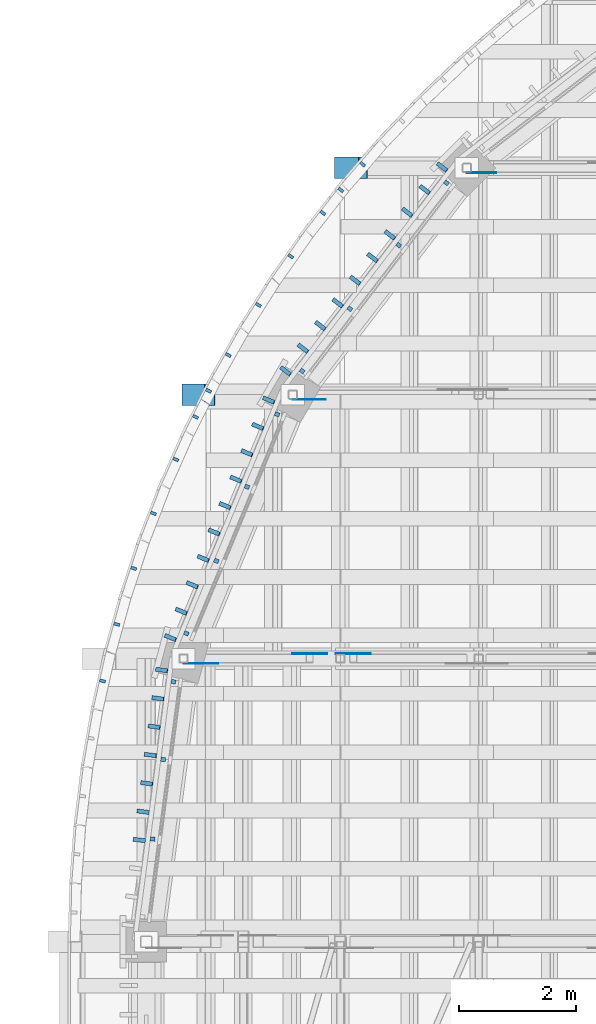
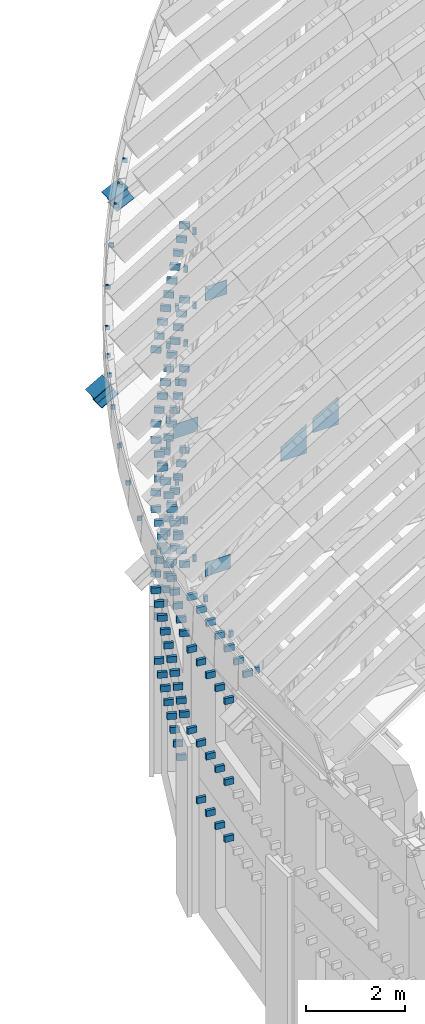
# One storey, part 75 of 105: 142 discrete accessories.
"""IFC4 building model written with IfcOpenShell, lengths in metres."""

from ifc_helpers import new_model, si_unit, direction, frame, origin, origin_2d, place, context, subcontext, project, spatial, polyline, rectangle, i_section, outline, extrude, material, material_profile, profile_set, type_object, element, save


model = new_model("IFC4")

# Units and contexts
model_context = context("Model", 3, precision=1e-05, world=origin(), true_north=direction((0.0, 1.0)))
body_context = subcontext(model_context, "Body", "Model", "MODEL_VIEW")
ifc_project = project(units=[si_unit("LENGTHUNIT", "METRE"), si_unit("AREAUNIT", "SQUARE_METRE"), si_unit("VOLUMEUNIT", "CUBIC_METRE"), si_unit("PLANEANGLEUNIT", "RADIAN"), si_unit("MASSUNIT", "GRAM", prefix="KILO")], contexts=[model_context])

# Site, building, storey
site_placement = place(None, origin())
site = spatial("IfcSite", under=ifc_project, at=site_placement, CompositionType="ELEMENT")
building_placement = place(site_placement, origin())
building = spatial("IfcBuilding", under=site, at=building_placement, Name="Wasatch Bagh Community Centre", CompositionType="ELEMENT")
storey_placement = place(building_placement, frame((0.0, 0.0, 16.800048828125)))
storey = spatial("IfcBuildingStorey", under=building, at=storey_placement, Name="L04", CompositionType="ELEMENT", Elevation=16.800048828125)

# Discrete accessories
ifc_material_1 = material(Name="ASTM A36 steel", Category="steel")
discrete_accessory_type_1 = type_object("IfcDiscreteAccessoryType", Name="MH fascia bracket", PredefinedType="BRACKET", material=ifc_material_1)
for number, where, z_axis, x_axis, name in (
    (1, (16.501708984375, 69.46826171875, 9.292236328125), (0.0, 0.0, 1.0), (-0.975702130039, 0.219101240157, 0.0), "Fascia bracket 88"),
    (2, (16.744873046875, 70.439208984375, 9.4560546875), (0.0, 0.0, 1.0), (-0.963776065795, 0.266712757475, 0.0), "Fascia bracket 89"),
    (3, (17.035400390625, 71.397216796875, 9.65185546875), (0.0, 0.0, 1.0), (-0.949528180593, 0.313681740399, 0.0), "Fascia bracket 90"),
    (4, (17.37255859375, 72.339599609375, 9.87890625), (0.0, 0.0, 1.0), (-0.932992798835, 0.359895036535, 0.0), "Fascia bracket 91"),
    (5, (17.755615234375, 73.264404296875, 10.136962890625), (0.0, 0.0, 1.0), (-0.914209755704, 0.405241314005, 0.0), "Fascia bracket 92"),
    (6, (18.094970703125, 73.992919921875, 10.365234375), (0.0, 0.0, 1.0), (-0.893224301196, 0.449611329655, 0.0), "Fascia bracket 93"),
    (7, (18.3193359375, 74.43896484375, 10.49267578125), (0.0, 0.0, 1.0), (-0.893224301196, 0.449611329655, 0.0), "Fascia bracket 94"),
    (8, (18.655517578125, 75.052001953125, 10.694580078125), (0.0, 0.0, 1.0), (-0.870086991109, 0.49289819223, 0.0), "Fascia bracket 95"),
    (9, (19.170166015625, 75.91064453125, 11.003662109375), (0.0, 0.0, 1.0), (-0.84485356525, 0.534997619887, 0.0), "Fascia bracket 96"),
    (10, (19.726318359375, 76.742919921875, 11.337890625), (0.0, 0.0, 1.0), (-0.817584813152, 0.575808191418, 0.0), "Fascia bracket 97"),
    (11, (20.275390625, 77.486572265625, 11.66796875), (0.0, 0.0, 1.0), (-0.788346427627, 0.615231590581, 0.0), "Fascia bracket 98"),
    (12, (20.582763671875, 77.88037109375, 11.834716796875), (0.0, 0.0, 1.0), (-0.788346427627, 0.615231590581, 0.0), "Fascia bracket 99"),
    (13, (20.95751953125, 78.32080078125, 12.033935546875), (0.0, 0.0, 1.0), (-0.757208846506, 0.653172842954, 0.0), "Fascia bracket 100"),
):
    element("IfcDiscreteAccessory", number, at=place(storey_placement, frame(where, z_axis=z_axis, x_axis=x_axis)), inside=storey, type_object=discrete_accessory_type_1, Name=name, PredefinedType="BRACKET", context=body_context, shape_type="SweptSolid", body=[
        extrude(rectangle(XDim=0.10009765625, YDim=0.050048828125, at=origin_2d()), origin(), (0.0, 0.0, 1.0), 0.10009765625),
    ])
discrete_accessory_type_2 = type_object("IfcDiscreteAccessoryType", Name="MH fin bracket", PredefinedType="BRACKET", material=ifc_material_1)
for number, where, z_axis, x_axis, name in (
    (14, (22.315185546875, 78.277099609375, 4.425048828125), (0.0, 0.0, 1.0), (-0.608761429009, -0.793353340291, 0.0), "Fin bracket 28.1.5"),
    (15, (22.315185546875, 78.277099609375, 6.425048828125), (0.0, 0.0, 1.0), (-0.608761429009, -0.793353340291, 0.0), "Fin bracket 28.1.6"),
    (16, (22.01708984375, 77.888916015625, 3.02490234375), (0.0, 0.0, 1.0), (-0.608761429009, -0.793353340291, 0.0), "Fin bracket 28.2.4"),
    (17, (22.01708984375, 77.888916015625, 4.425048828125), (0.0, 0.0, 1.0), (-0.608761429009, -0.793353340291, 0.0), "Fin bracket 28.2.5"),
    (18, (22.01708984375, 77.888916015625, 6.425048828125), (0.0, 0.0, 1.0), (-0.608761429009, -0.793353340291, 0.0), "Fin bracket 28.2.6"),
    (19, (21.71923828125, 77.50048828125, 3.02490234375), (0.0, 0.0, 1.0), (-0.608761429009, -0.793353340291, 0.0), "Fin bracket 28.3.4"),
    (20, (21.71923828125, 77.50048828125, 4.425048828125), (0.0, 0.0, 1.0), (-0.608761429009, -0.793353340291, 0.0), "Fin bracket 28.3.5"),
    (21, (21.71923828125, 77.50048828125, 6.425048828125), (0.0, 0.0, 1.0), (-0.608761429009, -0.793353340291, 0.0), "Fin bracket 28.3.6"),
    (22, (21.421142578125, 77.112060546875, 3.02490234375), (0.0, 0.0, 1.0), (-0.608761429009, -0.793353340291, 0.0), "Fin bracket 28.4.4"),
    (23, (21.421142578125, 77.112060546875, 4.425048828125), (0.0, 0.0, 1.0), (-0.608761429009, -0.793353340291, 0.0), "Fin bracket 28.4.5"),
    (24, (21.421142578125, 77.112060546875, 6.425048828125), (0.0, 0.0, 1.0), (-0.608761429009, -0.793353340291, 0.0), "Fin bracket 28.4.6"),
    (25, (21.123291015625, 76.723876953125, 3.02490234375), (0.0, 0.0, 1.0), (-0.608761429009, -0.793353340291, 0.0), "Fin bracket 28.5.4"),
    (26, (21.123291015625, 76.723876953125, 4.425048828125), (0.0, 0.0, 1.0), (-0.608761429009, -0.793353340291, 0.0), "Fin bracket 28.5.5"),
    (27, (21.123291015625, 76.723876953125, 6.425048828125), (0.0, 0.0, 1.0), (-0.608761429009, -0.793353340291, 0.0), "Fin bracket 28.5.6"),
    (28, (20.8251953125, 76.33544921875, 3.02490234375), (0.0, 0.0, 1.0), (-0.608761429009, -0.793353340291, 0.0), "Fin bracket 28.6.4"),
    (29, (20.8251953125, 76.33544921875, 4.425048828125), (0.0, 0.0, 1.0), (-0.608761429009, -0.793353340291, 0.0), "Fin bracket 28.6.5"),
    (30, (20.8251953125, 76.33544921875, 6.425048828125), (0.0, 0.0, 1.0), (-0.608761429009, -0.793353340291, 0.0), "Fin bracket 28.6.6"),
    (31, (20.52734375, 75.947265625, 3.02490234375), (0.0, 0.0, 1.0), (-0.608761429009, -0.793353340291, 0.0), "Fin bracket 28.7.4"),
    (32, (20.52734375, 75.947265625, 4.425048828125), (0.0, 0.0, 1.0), (-0.608761429009, -0.793353340291, 0.0), "Fin bracket 28.7.5"),
    (33, (20.52734375, 75.947265625, 6.425048828125), (0.0, 0.0, 1.0), (-0.608761429009, -0.793353340291, 0.0), "Fin bracket 28.7.6"),
    (34, (20.229248046875, 75.558837890625, 3.02490234375), (0.0, 0.0, 1.0), (-0.608761429009, -0.793353340291, 0.0), "Fin bracket 28.8.4"),
    (35, (20.229248046875, 75.558837890625, 4.425048828125), (0.0, 0.0, 1.0), (-0.608761429009, -0.793353340291, 0.0), "Fin bracket 28.8.5"),
    (36, (20.229248046875, 75.558837890625, 6.425048828125), (0.0, 0.0, 1.0), (-0.608761429009, -0.793353340291, 0.0), "Fin bracket 28.8.6"),
    (37, (19.931396484375, 75.170654296875, 3.02490234375), (0.0, 0.0, 1.0), (-0.608761429009, -0.793353340291, 0.0), "Fin bracket 28.9.4"),
    (38, (19.931396484375, 75.170654296875, 4.425048828125), (0.0, 0.0, 1.0), (-0.608761429009, -0.793353340291, 0.0), "Fin bracket 28.9.5"),
    (39, (19.931396484375, 75.170654296875, 6.425048828125), (0.0, 0.0, 1.0), (-0.608761429009, -0.793353340291, 0.0), "Fin bracket 28.9.6"),
    (40, (19.63330078125, 74.7822265625, 4.425048828125), (0.0, 0.0, 1.0), (-0.608761429009, -0.793353340291, 0.0), "Fin bracket 28.10.5"),
    (41, (19.63330078125, 74.7822265625, 6.425048828125), (0.0, 0.0, 1.0), (-0.608761429009, -0.793353340291, 0.0), "Fin bracket 28.10.6"),
    (42, (19.344970703125, 74.28271484375, 4.425048828125), (0.0, 0.0, 1.0), (-0.382683432365, -0.923879532511, 0.0), "Fin bracket 29.1.5"),
    (43, (19.344970703125, 74.28271484375, 6.425048828125), (0.0, 0.0, 1.0), (-0.382683432365, -0.923879532511, 0.0), "Fin bracket 29.1.6"),
    (44, (19.15771484375, 73.83056640625, 3.02490234375), (0.0, 0.0, 1.0), (-0.382683432365, -0.923879532511, 0.0), "Fin bracket 29.2.4"),
    (45, (19.15771484375, 73.83056640625, 4.425048828125), (0.0, 0.0, 1.0), (-0.382683432365, -0.923879532511, 0.0), "Fin bracket 29.2.5"),
    (46, (19.15771484375, 73.83056640625, 6.425048828125), (0.0, 0.0, 1.0), (-0.382683432365, -0.923879532511, 0.0), "Fin bracket 29.2.6"),
    (47, (18.970458984375, 73.37841796875, 3.02490234375), (0.0, 0.0, 1.0), (-0.382683432365, -0.923879532511, 0.0), "Fin bracket 29.3.4"),
    (48, (18.970458984375, 73.37841796875, 4.425048828125), (0.0, 0.0, 1.0), (-0.382683432365, -0.923879532511, 0.0), "Fin bracket 29.3.5"),
    (49, (18.970458984375, 73.37841796875, 6.425048828125), (0.0, 0.0, 1.0), (-0.382683432365, -0.923879532511, 0.0), "Fin bracket 29.3.6"),
    (50, (18.782958984375, 72.92626953125, 3.02490234375), (0.0, 0.0, 1.0), (-0.382683432365, -0.923879532511, 0.0), "Fin bracket 29.4.4"),
    (51, (18.782958984375, 72.92626953125, 4.425048828125), (0.0, 0.0, 1.0), (-0.382683432365, -0.923879532511, 0.0), "Fin bracket 29.4.5"),
    (52, (18.782958984375, 72.92626953125, 6.425048828125), (0.0, 0.0, 1.0), (-0.382683432365, -0.923879532511, 0.0), "Fin bracket 29.4.6"),
    (53, (18.595703125, 72.473876953125, 3.02490234375), (0.0, 0.0, 1.0), (-0.382683432365, -0.923879532511, 0.0), "Fin bracket 29.5.4"),
    (54, (18.595703125, 72.473876953125, 4.425048828125), (0.0, 0.0, 1.0), (-0.382683432365, -0.923879532511, 0.0), "Fin bracket 29.5.5"),
    (55, (18.595703125, 72.473876953125, 6.425048828125), (0.0, 0.0, 1.0), (-0.382683432365, -0.923879532511, 0.0), "Fin bracket 29.5.6"),
    (56, (18.408447265625, 72.021728515625, 3.02490234375), (0.0, 0.0, 1.0), (-0.382683432365, -0.923879532511, 0.0), "Fin bracket 29.6.4"),
    (57, (18.408447265625, 72.021728515625, 4.425048828125), (0.0, 0.0, 1.0), (-0.382683432365, -0.923879532511, 0.0), "Fin bracket 29.6.5"),
    (58, (18.408447265625, 72.021728515625, 6.425048828125), (0.0, 0.0, 1.0), (-0.382683432365, -0.923879532511, 0.0), "Fin bracket 29.6.6"),
    (59, (18.22119140625, 71.569580078125, 3.02490234375), (0.0, 0.0, 1.0), (-0.382683432365, -0.923879532511, 0.0), "Fin bracket 29.7.4"),
    (60, (18.22119140625, 71.569580078125, 4.425048828125), (0.0, 0.0, 1.0), (-0.382683432365, -0.923879532511, 0.0), "Fin bracket 29.7.5"),
    (61, (18.22119140625, 71.569580078125, 6.425048828125), (0.0, 0.0, 1.0), (-0.382683432365, -0.923879532511, 0.0), "Fin bracket 29.7.6"),
    (62, (18.033935546875, 71.117431640625, 3.02490234375), (0.0, 0.0, 1.0), (-0.382683432365, -0.923879532511, 0.0), "Fin bracket 29.8.4"),
    (63, (18.033935546875, 71.117431640625, 4.425048828125), (0.0, 0.0, 1.0), (-0.382683432365, -0.923879532511, 0.0), "Fin bracket 29.8.5"),
    (64, (18.033935546875, 71.117431640625, 6.425048828125), (0.0, 0.0, 1.0), (-0.382683432365, -0.923879532511, 0.0), "Fin bracket 29.8.6"),
    (65, (17.846435546875, 70.6650390625, 3.02490234375), (0.0, 0.0, 1.0), (-0.382683432365, -0.923879532511, 0.0), "Fin bracket 29.9.4"),
    (66, (17.846435546875, 70.6650390625, 4.425048828125), (0.0, 0.0, 1.0), (-0.382683432365, -0.923879532511, 0.0), "Fin bracket 29.9.5"),
    (67, (17.846435546875, 70.6650390625, 6.425048828125), (0.0, 0.0, 1.0), (-0.382683432365, -0.923879532511, 0.0), "Fin bracket 29.9.6"),
    (68, (17.6591796875, 70.212890625, 4.425048828125), (0.0, 0.0, 1.0), (-0.382683432365, -0.923879532511, 0.0), "Fin bracket 29.10.5"),
    (69, (17.6591796875, 70.212890625, 6.425048828125), (0.0, 0.0, 1.0), (-0.382683432365, -0.923879532511, 0.0), "Fin bracket 29.10.6"),
    (70, (17.510009765625, 69.656005859375, 4.425048828125), (0.0, 0.0, 1.0), (-0.13052619222, -0.991444861374, 0.0), "Fin bracket 30.1.5"),
    (71, (17.510009765625, 69.656005859375, 6.425048828125), (0.0, 0.0, 1.0), (-0.13052619222, -0.991444861374, 0.0), "Fin bracket 30.1.6"),
    (72, (17.446044921875, 69.170654296875, 3.02490234375), (0.0, 0.0, 1.0), (-0.13052619222, -0.991444861374, 0.0), "Fin bracket 30.2.4"),
    (73, (17.446044921875, 69.170654296875, 4.425048828125), (0.0, 0.0, 1.0), (-0.13052619222, -0.991444861374, 0.0), "Fin bracket 30.2.5"),
    (74, (17.446044921875, 69.170654296875, 6.425048828125), (0.0, 0.0, 1.0), (-0.13052619222, -0.991444861374, 0.0), "Fin bracket 30.2.6"),
    (75, (17.382080078125, 68.685302734375, 3.02490234375), (0.0, 0.0, 1.0), (-0.13052619222, -0.991444861374, 0.0), "Fin bracket 30.3.4"),
    (76, (17.382080078125, 68.685302734375, 4.425048828125), (0.0, 0.0, 1.0), (-0.13052619222, -0.991444861374, 0.0), "Fin bracket 30.3.5"),
    (77, (17.382080078125, 68.685302734375, 6.425048828125), (0.0, 0.0, 1.0), (-0.13052619222, -0.991444861374, 0.0), "Fin bracket 30.3.6"),
    (78, (17.318359375, 68.199951171875, 3.02490234375), (0.0, 0.0, 1.0), (-0.13052619222, -0.991444861374, 0.0), "Fin bracket 30.4.4"),
    (79, (17.318359375, 68.199951171875, 4.425048828125), (0.0, 0.0, 1.0), (-0.13052619222, -0.991444861374, 0.0), "Fin bracket 30.4.5"),
    (80, (17.318359375, 68.199951171875, 6.425048828125), (0.0, 0.0, 1.0), (-0.13052619222, -0.991444861374, 0.0), "Fin bracket 30.4.6"),
    (81, (17.25439453125, 67.71484375, 3.02490234375), (0.0, 0.0, 1.0), (-0.13052619222, -0.991444861374, 0.0), "Fin bracket 30.5.4"),
    (82, (17.25439453125, 67.71484375, 4.425048828125), (0.0, 0.0, 1.0), (-0.13052619222, -0.991444861374, 0.0), "Fin bracket 30.5.5"),
    (83, (17.25439453125, 67.71484375, 6.425048828125), (0.0, 0.0, 1.0), (-0.13052619222, -0.991444861374, 0.0), "Fin bracket 30.5.6"),
):
    element("IfcDiscreteAccessory", number, at=place(storey_placement, frame(where, z_axis=z_axis, x_axis=x_axis)), inside=storey, type_object=discrete_accessory_type_2, Name=name, PredefinedType="BRACKET", context=body_context, shape_type="SweptSolid", body=[
        extrude(rectangle(XDim=0.070068359375, YDim=0.199951171875, at=origin_2d()), origin(), (0.0, 0.0, 1.0), 0.14990234375),
    ])
discrete_accessory_type_3 = type_object("IfcDiscreteAccessoryType", Name="MH fin bracket (rail)", PredefinedType="BRACKET", material=ifc_material_1)
for number, where, z_axis, x_axis, name in (
    (84, (22.319091796875, 78.274169921875, 8.125), (0.0, 0.0, 1.0), (-0.608761429009, -0.793353340291, 0.0), "Fin bracket 28.1.r1"),
    (85, (22.02099609375, 77.8857421875, 8.125), (0.0, 0.0, 1.0), (-0.608761429009, -0.793353340291, 0.0), "Fin bracket 28.2.r1"),
    (86, (21.72314453125, 77.49755859375, 8.125), (0.0, 0.0, 1.0), (-0.608761429009, -0.793353340291, 0.0), "Fin bracket 28.3.r1"),
    (87, (21.425048828125, 77.109130859375, 8.125), (0.0, 0.0, 1.0), (-0.608761429009, -0.793353340291, 0.0), "Fin bracket 28.4.r1"),
    (88, (21.127197265625, 76.720703125, 8.125), (0.0, 0.0, 1.0), (-0.608761429009, -0.793353340291, 0.0), "Fin bracket 28.5.r1"),
    (89, (20.8291015625, 76.33251953125, 8.125), (0.0, 0.0, 1.0), (-0.608761429009, -0.793353340291, 0.0), "Fin bracket 28.6.r1"),
    (90, (20.53125, 75.944091796875, 8.125), (0.0, 0.0, 1.0), (-0.608761429009, -0.793353340291, 0.0), "Fin bracket 28.7.r1"),
    (91, (20.233154296875, 75.555908203125, 8.125), (0.0, 0.0, 1.0), (-0.608761429009, -0.793353340291, 0.0), "Fin bracket 28.8.r1"),
    (92, (19.935302734375, 75.16748046875, 8.125), (0.0, 0.0, 1.0), (-0.608761429009, -0.793353340291, 0.0), "Fin bracket 28.9.r1"),
    (93, (19.63720703125, 74.779296875, 8.125), (0.0, 0.0, 1.0), (-0.608761429009, -0.793353340291, 0.0), "Fin bracket 28.10.r1"),
    (94, (22.319091796875, 78.274169921875, 9.955078125), (0.0, 0.0, 1.0), (-0.608761429009, -0.793353340291, 0.0), "Fin bracket 28.1.r2"),
    (95, (22.02099609375, 77.8857421875, 9.955078125), (0.0, 0.0, 1.0), (-0.608761429009, -0.793353340291, 0.0), "Fin bracket 28.2.r2"),
    (96, (21.72314453125, 77.49755859375, 9.955078125), (0.0, 0.0, 1.0), (-0.608761429009, -0.793353340291, 0.0), "Fin bracket 28.3.r2"),
    (97, (21.425048828125, 77.109130859375, 9.955078125), (0.0, 0.0, 1.0), (-0.608761429009, -0.793353340291, 0.0), "Fin bracket 28.4.r2"),
    (98, (21.127197265625, 76.720703125, 9.955078125), (0.0, 0.0, 1.0), (-0.608761429009, -0.793353340291, 0.0), "Fin bracket 28.5.r2"),
    (99, (20.8291015625, 76.33251953125, 9.955078125), (0.0, 0.0, 1.0), (-0.608761429009, -0.793353340291, 0.0), "Fin bracket 28.6.r2"),
    (100, (20.53125, 75.944091796875, 9.955078125), (0.0, 0.0, 1.0), (-0.608761429009, -0.793353340291, 0.0), "Fin bracket 28.7.r2"),
    (101, (20.233154296875, 75.555908203125, 9.955078125), (0.0, 0.0, 1.0), (-0.608761429009, -0.793353340291, 0.0), "Fin bracket 28.8.r2"),
    (102, (19.935302734375, 75.16748046875, 9.955078125), (0.0, 0.0, 1.0), (-0.608761429009, -0.793353340291, 0.0), "Fin bracket 28.9.r2"),
    (103, (19.63720703125, 74.779296875, 9.955078125), (0.0, 0.0, 1.0), (-0.608761429009, -0.793353340291, 0.0), "Fin bracket 28.10.r2"),
    (104, (19.349609375, 74.281005859375, 8.125), (0.0, 0.0, 1.0), (-0.382683432365, -0.923879532511, 0.0), "Fin bracket 29.1.r1"),
    (105, (19.162353515625, 73.82861328125, 8.125), (0.0, 0.0, 1.0), (-0.382683432365, -0.923879532511, 0.0), "Fin bracket 29.2.r1"),
    (106, (18.97509765625, 73.37646484375, 8.125), (0.0, 0.0, 1.0), (-0.382683432365, -0.923879532511, 0.0), "Fin bracket 29.3.r1"),
    (107, (18.78759765625, 72.92431640625, 8.125), (0.0, 0.0, 1.0), (-0.382683432365, -0.923879532511, 0.0), "Fin bracket 29.4.r1"),
    (108, (18.600341796875, 72.47216796875, 8.125), (0.0, 0.0, 1.0), (-0.382683432365, -0.923879532511, 0.0), "Fin bracket 29.5.r1"),
    (109, (18.4130859375, 72.019775390625, 8.125), (0.0, 0.0, 1.0), (-0.382683432365, -0.923879532511, 0.0), "Fin bracket 29.6.r1"),
    (110, (18.225830078125, 71.567626953125, 8.125), (0.0, 0.0, 1.0), (-0.382683432365, -0.923879532511, 0.0), "Fin bracket 29.7.r1"),
    (111, (18.038330078125, 71.115478515625, 8.125), (0.0, 0.0, 1.0), (-0.382683432365, -0.923879532511, 0.0), "Fin bracket 29.8.r1"),
    (112, (17.85107421875, 70.6630859375, 8.125), (0.0, 0.0, 1.0), (-0.382683432365, -0.923879532511, 0.0), "Fin bracket 29.9.r1"),
    (113, (17.663818359375, 70.2109375, 8.125), (0.0, 0.0, 1.0), (-0.382683432365, -0.923879532511, 0.0), "Fin bracket 29.10.r1"),
    (114, (17.514892578125, 69.6552734375, 7.715087890625), (0.0, 0.0, 1.0), (-0.13052619222, -0.991444861374, 0.0), "Fin bracket 30.1.r1"),
    (115, (17.450927734375, 69.169921875, 7.715087890625), (0.0, 0.0, 1.0), (-0.13052619222, -0.991444861374, 0.0), "Fin bracket 30.2.r1"),
    (116, (17.38720703125, 68.6845703125, 7.715087890625), (0.0, 0.0, 1.0), (-0.13052619222, -0.991444861374, 0.0), "Fin bracket 30.3.r1"),
    (117, (17.3232421875, 68.199462890625, 7.715087890625), (0.0, 0.0, 1.0), (-0.13052619222, -0.991444861374, 0.0), "Fin bracket 30.4.r1"),
    (118, (17.25927734375, 67.714111328125, 7.715087890625), (0.0, 0.0, 1.0), (-0.13052619222, -0.991444861374, 0.0), "Fin bracket 30.5.r1"),
    (119, (17.195556640625, 67.228759765625, 7.715087890625), (0.0, 0.0, 1.0), (-0.13052619222, -0.991444861374, 0.0), "Fin bracket 30.6.r1"),
    (120, (17.131591796875, 66.74365234375, 7.715087890625), (0.0, 0.0, 1.0), (-0.13052619222, -0.991444861374, 0.0), "Fin bracket 30.7.r1"),
):
    element("IfcDiscreteAccessory", number, at=place(storey_placement, frame(where, z_axis=z_axis, x_axis=x_axis)), inside=storey, type_object=discrete_accessory_type_3, Name=name, PredefinedType="BRACKET", context=body_context, shape_type="SweptSolid", body=[
        extrude(rectangle(XDim=0.070068359375, YDim=0.2099609375, at=origin_2d()), origin(), (0.0, 0.0, 1.0), 0.14990234375),
    ])
discrete_accessory_type_4 = type_object("IfcDiscreteAccessoryType", Name="MH fin rail stand-off", PredefinedType="BRACKET", material=ifc_material_1)
for number, where, z_axis, x_axis, name in (
    (121, (22.39306640625, 78.0009765625, 8.125), (0.0, 0.0, 1.0), (-0.608761429009, -0.793353340291, 0.0), "Rail stand-off 28.1.1"),
    (122, (21.574951171875, 76.934814453125, 8.125), (0.0, 0.0, 1.0), (-0.608761429009, -0.793353340291, 0.0), "Rail stand-off 28.1.2"),
    (123, (20.738525390625, 75.8447265625, 8.125), (0.0, 0.0, 1.0), (-0.608761429009, -0.793353340291, 0.0), "Rail stand-off 28.1.3"),
    (124, (19.92041015625, 74.7783203125, 8.125), (0.0, 0.0, 1.0), (-0.608761429009, -0.793353340291, 0.0), "Rail stand-off 28.1.4"),
    (125, (22.39306640625, 78.0009765625, 9.955078125), (0.0, 0.0, 1.0), (-0.608761429009, -0.793353340291, 0.0), "Rail stand-off 28.2.1"),
    (126, (21.574951171875, 76.934814453125, 9.955078125), (0.0, 0.0, 1.0), (-0.608761429009, -0.793353340291, 0.0), "Rail stand-off 28.2.2"),
    (127, (20.738525390625, 75.8447265625, 9.955078125), (0.0, 0.0, 1.0), (-0.608761429009, -0.793353340291, 0.0), "Rail stand-off 28.2.3"),
    (128, (19.92041015625, 74.7783203125, 9.955078125), (0.0, 0.0, 1.0), (-0.608761429009, -0.793353340291, 0.0), "Rail stand-off 28.2.4"),
    (129, (19.49169921875, 74.0361328125, 8.125), (0.0, 0.0, 1.0), (-0.382683432365, -0.923879532511, 0.0), "Rail stand-off 29.1.1"),
    (130, (18.9775390625, 72.79443359375, 8.125), (0.0, 0.0, 1.0), (-0.382683432365, -0.923879532511, 0.0), "Rail stand-off 29.1.2"),
    (131, (18.45166015625, 71.525146484375, 8.125), (0.0, 0.0, 1.0), (-0.382683432365, -0.923879532511, 0.0), "Rail stand-off 29.1.3"),
    (132, (17.9375, 70.283447265625, 8.125), (0.0, 0.0, 1.0), (-0.382683432365, -0.923879532511, 0.0), "Rail stand-off 29.1.4"),
    (133, (17.715576171875, 69.45556640625, 7.715087890625), (0.0, 0.0, 1.0), (-0.13052619222, -0.991444861374, 0.0), "Rail stand-off 30.1.1"),
    (134, (17.5400390625, 68.123291015625, 7.715087890625), (0.0, 0.0, 1.0), (-0.13052619222, -0.991444861374, 0.0), "Rail stand-off 30.1.2"),
    (135, (17.36083984375, 66.760986328125, 7.715087890625), (0.0, 0.0, 1.0), (-0.13052619222, -0.991444861374, 0.0), "Rail stand-off 30.1.3"),
):
    element("IfcDiscreteAccessory", number, at=place(storey_placement, frame(where, z_axis=z_axis, x_axis=x_axis)), inside=storey, type_object=discrete_accessory_type_4, Name=name, PredefinedType="BRACKET", context=body_context, shape_type="SweptSolid", body=[
        extrude(rectangle(XDim=0.070068359375, YDim=0.080078125, at=origin_2d()), origin(), (0.0, 0.0, 1.0), 0.14990234375),
    ])
ifc_material_2 = material(Name="ASTM A992 Grade 50 steel", Category="steel")
ifc_material_profile = material_profile(ifc_material_2, i_section(OverallWidth=0.368408203125, OverallDepth=0.355712890625, WebThickness=0.01123046875, FlangeThickness=0.01806640625, at=origin_2d()), Name="W14x90")
ifc_profile_set = profile_set([ifc_material_profile], Name="ASTM A992 Grade 50 steel")
discrete_accessory_type_5 = type_object("IfcDiscreteAccessoryType", Name="MH steel truss tail W14x90", PredefinedType="BRACKET", material=ifc_profile_set)
discrete_accessory_1_placement = place(storey_placement, frame((18.338134765625, 74.375, 9.8642578125), z_axis=(-0.869043202276, 0.0, -0.494736205041), x_axis=(0.0, -1.0, 0.0)))
element("IfcDiscreteAccessory", 136, at=discrete_accessory_1_placement, inside=storey, type_object=discrete_accessory_type_5, Name="Truss tail TN2", PredefinedType="BRACKET", context=body_context, shape_type="SweptSolid", body=[
    extrude(i_section(OverallWidth=0.368408203125, OverallDepth=0.355712890625, WebThickness=0.01123046875, FlangeThickness=0.01806640625, at=origin_2d()), origin(), (0.0, 0.0, 1.0), 0.449951171875),
])
discrete_accessory_2_placement = place(storey_placement, frame((20.961669921875, 78.25830078125, 11.42431640625), z_axis=(-0.905836401699, 0.0, -0.423627682471), x_axis=(0.0, -1.0, 0.0)))
element("IfcDiscreteAccessory", 137, at=discrete_accessory_2_placement, inside=storey, type_object=discrete_accessory_type_5, Name="Truss tail TN3", PredefinedType="BRACKET", context=body_context, shape_type="SweptSolid", body=[
    extrude(i_section(OverallWidth=0.368408203125, OverallDepth=0.355712890625, WebThickness=0.01123046875, FlangeThickness=0.01806640625, at=origin_2d()), origin(), (0.0, 0.0, 1.0), 0.4501953125),
])
discrete_accessory_3_placement = place(storey_placement, frame((17.888916015625, 69.76416015625, 8.071044921875), z_axis=(0.0, -1.0, 0.0), x_axis=(1.0, 0.0, 0.0)))
element("IfcDiscreteAccessory", 138, at=discrete_accessory_3_placement, inside=storey, Name="Gusset plate", PredefinedType="BRACKET", context=body_context, shape_type="SweptSolid", body=[
    extrude(outline(polyline([(0.0, 0.0), (0.593505859375, 0.0), (0.593505859375, 0.35009765625), (0.0, 0.35009765625), (0.0, 0.0)])), origin(), (0.0, 0.0, -1.0), 0.011962890625),
])
discrete_accessory_4_placement = place(storey_placement, frame((19.749755859375, 69.941650390625, 10.507080078125), z_axis=(0.0, 1.0, 0.0), x_axis=(0.855520373684, 0.0, 0.517769147606)))
element("IfcDiscreteAccessory", 139, at=discrete_accessory_4_placement, inside=storey, Name="Gusset plate", PredefinedType="BRACKET", context=body_context, shape_type="SweptSolid", body=[
    extrude(outline(polyline([(0.0, 0.0), (0.7011563185132313, 0.0), (0.33191713878752993, 0.6101013211742088), (-0.18126976505534262, 0.2995156777007242), (0.0, 0.0)])), origin(), (0.0, 0.0, -1.0), 0.011962890625),
])
discrete_accessory_5_placement = place(storey_placement, frame((20.49609375, 69.941650390625, 10.958740234375), z_axis=(0.0, 1.0, 0.0), x_axis=(0.855623194581, 0.0, 0.517599216475)))
element("IfcDiscreteAccessory", 140, at=discrete_accessory_5_placement, inside=storey, Name="Gusset plate", PredefinedType="BRACKET", context=body_context, shape_type="SweptSolid", body=[
    extrude(outline(polyline([(0.0, 0.0), (0.09244906285967863, 0.0), (0.6858658981419994, 0.025136716572564333), (0.33203830875492313, 0.6100353847430373), (-0.1812102725646669, 0.29955167505587793), (0.0, 0.0)])), origin(), (0.0, 0.0, -1.0), 0.011962890625),
])
discrete_accessory_6_placement = place(storey_placement, frame((19.761962890625, 74.286376953125, 8.071044921875), z_axis=(0.0, -1.0, 0.0), x_axis=(1.0, 0.0, 0.0)))
element("IfcDiscreteAccessory", 141, at=discrete_accessory_6_placement, inside=storey, Name="Gusset plate", PredefinedType="BRACKET", context=body_context, shape_type="SweptSolid", body=[
    extrude(outline(polyline([(0.0, 0.0), (0.5654296875, 0.0), (0.5654296875, 0.35009765625), (0.0, 0.35009765625), (0.0, 0.0)])), origin(), (0.0, 0.0, -1.0), 0.011962890625),
])
discrete_accessory_7_placement = place(storey_placement, frame((22.74169921875, 78.16943359375, 8.071044921875), z_axis=(0.0, -1.0, 0.0), x_axis=(1.0, 0.0, 0.0)))
element("IfcDiscreteAccessory", 142, at=discrete_accessory_7_placement, inside=storey, Name="Gusset plate", PredefinedType="BRACKET", context=body_context, shape_type="SweptSolid", body=[
    extrude(outline(polyline([(0.0, 0.0), (0.50634765625, 0.0), (0.50634765625, 0.35009765625), (0.0, 0.35009765625), (0.0, 0.0)])), origin(), (0.0, 0.0, -1.0), 0.011962890625),
])

save(model, "model.ifc")
